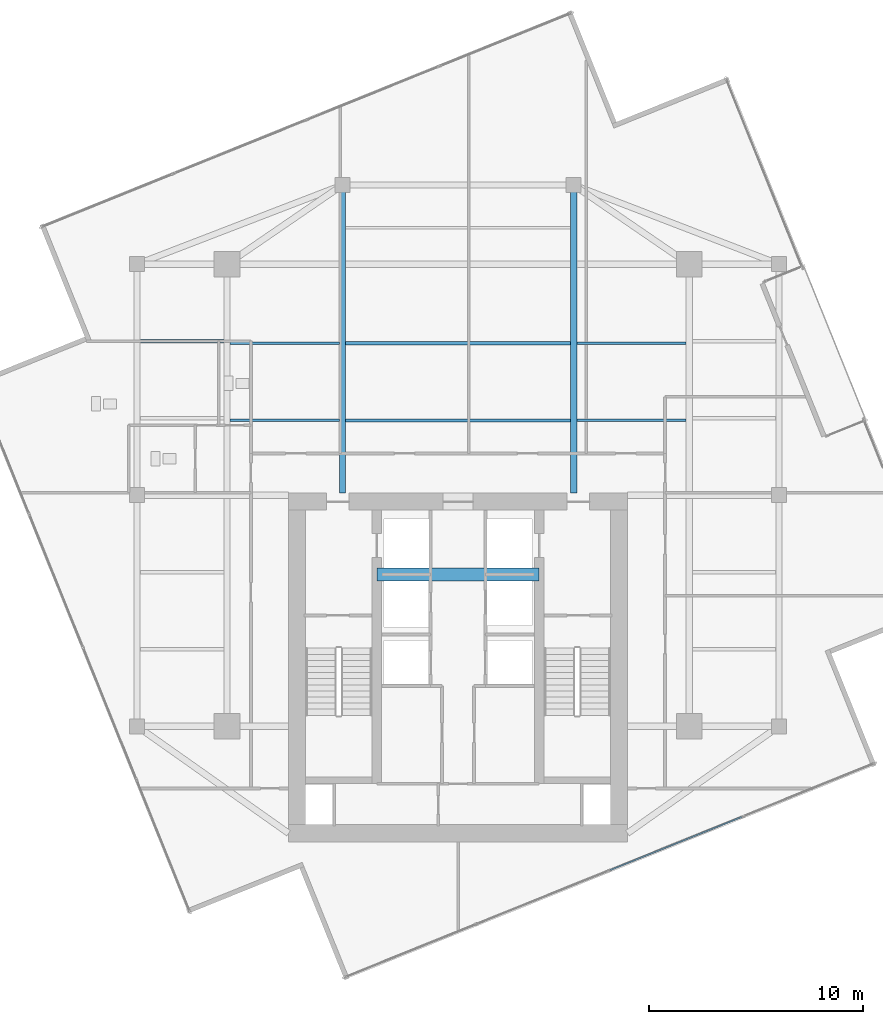
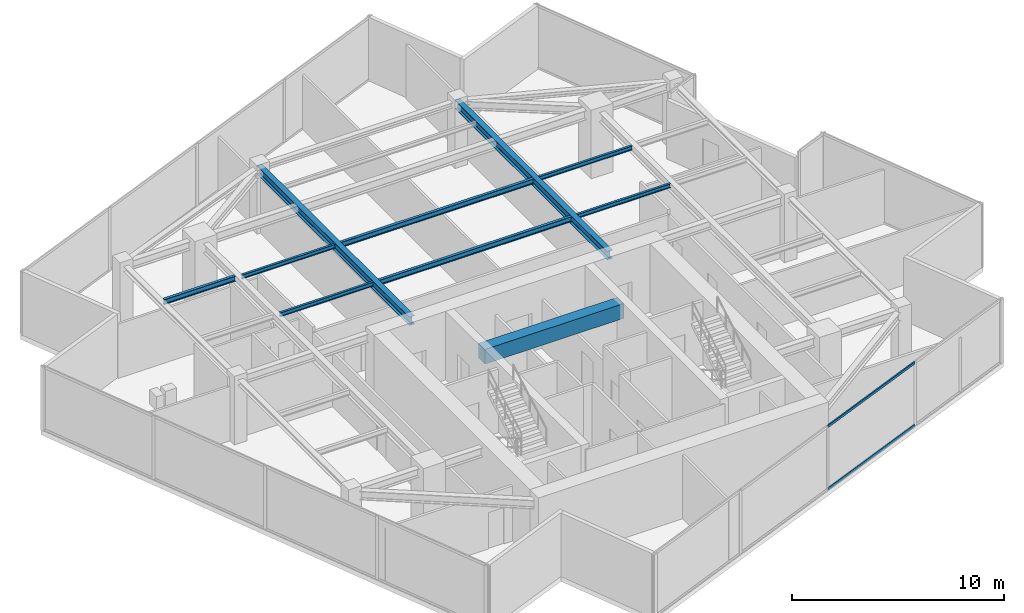
# One storey, part 8 of 21: 10 beams, 2 members, 1 element without a shape of its own.
"""IFC4 building model written with IfcOpenShell, lengths in metres."""

from ifc_helpers import new_model, si_unit, direction, frame, origin, origin_2d, place, context, subcontext, project, spatial, rectangle, hollow_rectangle, i_section, extrude, source, transform, mapped, material, material_profile, profile_set, type_object, type_shapes, element, aggregate, save


model = new_model("IFC4")

# Units and contexts
model_context = context("Model", 3, precision=1e-05, world=origin(), true_north=direction((0.0, 1.0)))
body_context = subcontext(model_context, "Body", "Model", "MODEL_VIEW")
ifc_project = project(units=[si_unit("LENGTHUNIT", "METRE"), si_unit("AREAUNIT", "SQUARE_METRE"), si_unit("VOLUMEUNIT", "CUBIC_METRE"), si_unit("PLANEANGLEUNIT", "RADIAN"), si_unit("MASSUNIT", "GRAM", prefix="KILO")], contexts=[model_context])

# Site, building, storey
site_placement = place(None, origin())
site = spatial("IfcSite", under=ifc_project, at=site_placement, CompositionType="ELEMENT")
building_placement = place(site_placement, origin())
building = spatial("IfcBuilding", under=site, at=building_placement, Name="Krantzveldt Concourse Tower", CompositionType="ELEMENT")
storey_placement = place(building_placement, frame((0.0, 0.0, 327.699951171875)))
storey = spatial("IfcBuildingStorey", under=building, at=storey_placement, Name="L80", CompositionType="ELEMENT", Elevation=327.699951171875)

# Beams
ifc_material_1 = material(Name="Steel S355JR", Category="steel")
ifc_material_profile_1 = material_profile(ifc_material_1, i_section(OverallWidth=0.300048828125, OverallDepth=0.489990234375, WebThickness=0.011962890625, FlangeThickness=0.02294921875, FilletRadius=0.027099609375, at=origin_2d()), Name="Steel S355JR", Category="steel")
ifc_profile_set_1 = profile_set([ifc_material_profile_1], Name="Steel S355JR - HEA 500")
beam_type_1 = type_object("IfcBeamType", Name="BM-B-HEA500", PredefinedType="BEAM", material=ifc_profile_set_1)
shared_shape_1 = source(origin(), body_context, "Body", "SweptSolid", [
    extrude(i_section(OverallWidth=0.300048828125, OverallDepth=0.489990234375, WebThickness=0.011962890625, FlangeThickness=0.02294921875, FilletRadius=0.027099609375, at=origin_2d()), origin(), (0.0, 0.0, 1.0), 14.39990234375),
])
type_shapes(beam_type_1, [shared_shape_1])
for number, where, z_axis, x_axis, name in (
    (1, (30.60009765625, 26.800048828125, 3.425048828125), (0.0, 1.0, 0.0), (-1.0, 0.0, 0.0), "L80 Tower Girder BG-CNW"),
    (2, (41.39990234375, 26.800048828125, 3.425048828125), (0.0, 1.0, 0.0), (-1.0, 0.0, 0.0), "L80 Tower Girder BG-CNE"),
):
    element("IfcBeam", number, at=place(storey_placement, frame(where, z_axis=z_axis, x_axis=x_axis)), inside=storey, type_object=beam_type_1, Name=name, PredefinedType="BEAM", context=body_context, shape_type="MappedRepresentation", body=[
        mapped(shared_shape_1, transform((0.0, 0.0, 0.0), x_axis=(1.0, 0.0, 0.0), y_axis=(0.0, 1.0, 0.0), z_axis=(0.0, 0.0, 1.0), scale=1.0)),
    ])
ifc_material_profile_2 = material_profile(ifc_material_1, i_section(OverallWidth=0.14990234375, OverallDepth=0.300048828125, WebThickness=0.007080078125, FlangeThickness=0.0107421875, FilletRadius=0.014892578125, at=origin_2d()), Name="Steel S355JR", Category="steel")
ifc_profile_set_2 = profile_set([ifc_material_profile_2], Name="Steel S355JR - IPE 300")
beam_type_2 = type_object("IfcBeamType", Name="BM-J-IPE300", PredefinedType="JOIST", material=ifc_profile_set_2)
shared_shape_2 = source(origin(), body_context, "Body", "SweptSolid", [
    extrude(i_section(OverallWidth=0.14990234375, OverallDepth=0.300048828125, WebThickness=0.007080078125, FlangeThickness=0.0107421875, FilletRadius=0.014892578125, at=origin_2d()), origin(), (0.0, 0.0, 1.0), 10.5),
])
for number, where, z_axis, x_axis, name in (
    (3, (30.75, 30.199951171875, 3.52001953125), (1.0, 0.0, 0.0), (0.0, 1.0, 0.0), "L80 Secondary Floor Joist JN-C1"),
    (4, (30.75, 33.800048828125, 3.52001953125), (1.0, 0.0, 0.0), (0.0, 1.0, 0.0), "L80 Secondary Floor Joist JN-C2"),
):
    element("IfcBeam", number, at=place(storey_placement, frame(where, z_axis=z_axis, x_axis=x_axis)), inside=storey, type_object=beam_type_2, Name=name, PredefinedType="JOIST", context=body_context, shape_type="MappedRepresentation", body=[
        mapped(shared_shape_2, transform((0.0, 0.0, 0.0), x_axis=(1.0, 0.0, 0.0), y_axis=(0.0, 1.0, 0.0), z_axis=(0.0, 0.0, 1.0), scale=1.0)),
    ])
ifc_material_2 = material(Name="Concrete C50/60", Category="concrete")
ifc_material_profile_3 = material_profile(ifc_material_2, rectangle(XDim=0.60009765625, YDim=0.85009765625, at=origin_2d()), Name="Concrete C50/60", Category="concrete")
ifc_profile_set_3 = profile_set([ifc_material_profile_3], Name="Concrete C50/60 - RC-CB 600x850")
beam_type_3 = type_object("IfcBeamType", Name="BM-CB-850", PredefinedType="LINTEL", material=ifc_profile_set_3)
shared_shape_3 = source(origin(), body_context, "Body", "SweptSolid", [
    extrude(rectangle(XDim=0.60009765625, YDim=0.85009765625, at=origin_2d()), origin(), (0.0, 0.0, 1.0), 7.580078125),
])
type_shapes(beam_type_3, [shared_shape_3])
beam_1_placement = place(storey_placement, frame((32.2099609375, 23.0, 3.2451171875), z_axis=(1.0, 0.0, 0.0), x_axis=(0.0, 1.0, 0.0)))
element("IfcBeam", 5, at=beam_1_placement, inside=storey, type_object=beam_type_3, Name="CB-L80-01", PredefinedType="LINTEL", context=body_context, shape_type="MappedRepresentation", body=[
    mapped(shared_shape_3, transform((0.0, 0.0, 0.0), x_axis=(1.0, 0.0, 0.0), y_axis=(0.0, 1.0, 0.0), z_axis=(0.0, 0.0, 1.0), scale=1.0)),
])
ifc_material_profile_4 = material_profile(ifc_material_1, i_section(OverallWidth=0.1201171875, OverallDepth=0.239990234375, WebThickness=0.006103515625, FlangeThickness=0.009765625, FilletRadius=0.014892578125, at=origin_2d()), Name="Steel S355JR", Category="steel")
ifc_profile_set_4 = profile_set([ifc_material_profile_4], Name="Steel S355JR - IPE 240")
beam_type_4 = type_object("IfcBeamType", Name="BM-LN-IPE240", PredefinedType="LINTEL", material=ifc_profile_set_4)
shared_shape_4 = source(origin(), body_context, "Body", "SweptSolid", [
    extrude(i_section(OverallWidth=0.1201171875, OverallDepth=0.239990234375, WebThickness=0.006103515625, FlangeThickness=0.009765625, FilletRadius=0.014892578125, at=origin_2d()), origin(), (0.0, 0.0, 1.0), 5.099853515625),
])
type_shapes(beam_type_4, [shared_shape_4])
for number, where, z_axis, x_axis, name in (
    (6, (25.35009765625, 30.199951171875, 3.550048828125), (1.0, 0.0, 0.0), (0.0, 1.0, 0.0), "L80 Secondary Floor Joist JN-W1"),
    (7, (25.35009765625, 33.800048828125, 3.550048828125), (1.0, 0.0, 0.0), (0.0, 1.0, 0.0), "L80 Secondary Floor Joist JN-W2"),
    (8, (41.550048828125, 30.199951171875, 3.550048828125), (1.0, 0.0, 0.0), (0.0, 1.0, 0.0), "L80 Secondary Floor Joist JN-E1"),
    (9, (41.550048828125, 33.800048828125, 3.550048828125), (1.0, 0.0, 0.0), (0.0, 1.0, 0.0), "L80 Secondary Floor Joist JN-E2"),
):
    element("IfcBeam", number, at=place(storey_placement, frame(where, z_axis=z_axis, x_axis=x_axis)), inside=storey, type_object=beam_type_4, Name=name, PredefinedType="LINTEL", context=body_context, shape_type="MappedRepresentation", body=[
        mapped(shared_shape_4, transform((0.0, 0.0, 0.0), x_axis=(1.0, 0.0, 0.0), y_axis=(0.0, 1.0, 0.0), z_axis=(0.0, 0.0, 1.0), scale=1.0)),
    ])
shared_shape_5 = source(origin(), body_context, "Body", "SweptSolid", [
    extrude(i_section(OverallWidth=0.14990234375, OverallDepth=0.300048828125, WebThickness=0.007080078125, FlangeThickness=0.0107421875, FilletRadius=0.014892578125, at=origin_2d()), origin(), (0.0, 0.0, 1.0), 3.900146484375),
])
type_shapes(beam_type_2, [shared_shape_2, shared_shape_5])
beam_2_placement = place(storey_placement, frame((21.14990234375, 33.89990234375, 3.52001953125), z_axis=(1.0, 0.0, 0.0), x_axis=(0.0, 1.0, 0.0)))
element("IfcBeam", 10, at=beam_2_placement, inside=storey, type_object=beam_type_2, Name="L80 Secondary Floor Joist JW-4", PredefinedType="JOIST", context=body_context, shape_type="MappedRepresentation", body=[
    mapped(shared_shape_5, transform((0.0, 0.0, 0.0), x_axis=(1.0, 0.0, 0.0), y_axis=(0.0, 1.0, 0.0), z_axis=(0.0, 0.0, 1.0), scale=1.0)),
])

# Curtain wall, members
ifc_material_3 = material(Name="Anodised aluminium 6063-T6", Category="aluminium")
curtain_wall_type = type_object("IfcCurtainWallType", Name="CW4", PredefinedType="USERDEFINED", material=ifc_material_3)
curtain_wall_placement = place(storey_placement, origin())
curtain_wall = element("IfcCurtainWall", 11, at=curtain_wall_placement, inside=storey, type_object=curtain_wall_type, Name="CW-L80-F07", ObjectType="UNITISED CURTAIN WALL", PredefinedType="USERDEFINED")
ifc_material_profile_5 = material_profile(ifc_material_3, hollow_rectangle(XDim=0.070068359375, YDim=0.139892578125, WallThickness=0.0048828125, at=origin_2d()), Name="Anodised aluminium 6063-T6", Category="aluminium")
ifc_profile_set_5 = profile_set([ifc_material_profile_5], Name="Anodised aluminium 6063-T6 - ALU-TRAN 140x70x5")
member_type = type_object("IfcMemberType", Name="CW-TRN-150", PredefinedType="USERDEFINED", material=ifc_profile_set_5)
shared_shape_6 = source(origin(), body_context, "Body", "SweptSolid", [
    extrude(hollow_rectangle(XDim=0.070068359375, YDim=0.139892578125, WallThickness=0.0048828125, at=origin_2d()), origin(), (0.0, 0.0, 1.0), 6.6298828125),
])
type_shapes(member_type, [shared_shape_6])
member_1_placement = place(storey_placement, frame((43.1162109375, 9.18017578125, 0.03515625), z_axis=(0.92718355196, 0.374607342392, 0.0), x_axis=(-0.374607342392, 0.92718355196, 0.0)))
member_1 = element("IfcMember", 12, at=member_1_placement, type_object=member_type, Name="CW-Z56 transom 3.1", ObjectType="TRANSOM", PredefinedType="USERDEFINED", context=body_context, shape_type="MappedRepresentation", body=[
    mapped(shared_shape_6, transform((0.0, 0.0, 0.0), x_axis=(1.0, 0.0, 0.0), y_axis=(0.0, 1.0, 0.0), z_axis=(0.0, 0.0, 1.0), scale=1.0)),
])
member_2_placement = place(storey_placement, frame((43.1162109375, 9.18017578125, 3.635009765625), z_axis=(0.92718355196, 0.374607342392, 0.0), x_axis=(-0.374607342392, 0.92718355196, 0.0)))
member_2 = element("IfcMember", 13, at=member_2_placement, type_object=member_type, Name="CW-Z56 transom 3.2", ObjectType="TRANSOM", PredefinedType="USERDEFINED", context=body_context, shape_type="MappedRepresentation", body=[
    mapped(shared_shape_6, transform((0.0, 0.0, 0.0), x_axis=(1.0, 0.0, 0.0), y_axis=(0.0, 1.0, 0.0), z_axis=(0.0, 0.0, 1.0), scale=1.0)),
])
aggregate(curtain_wall, [member_1, member_2])

save(model, "model.ifc")
